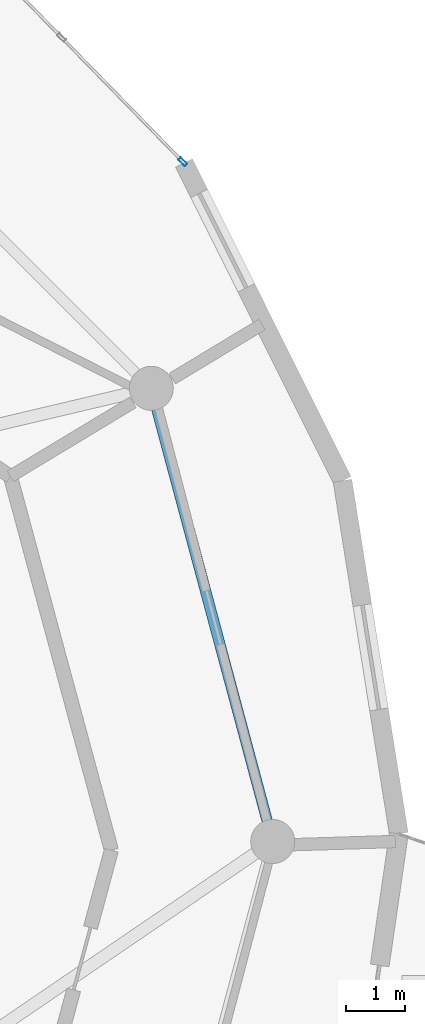
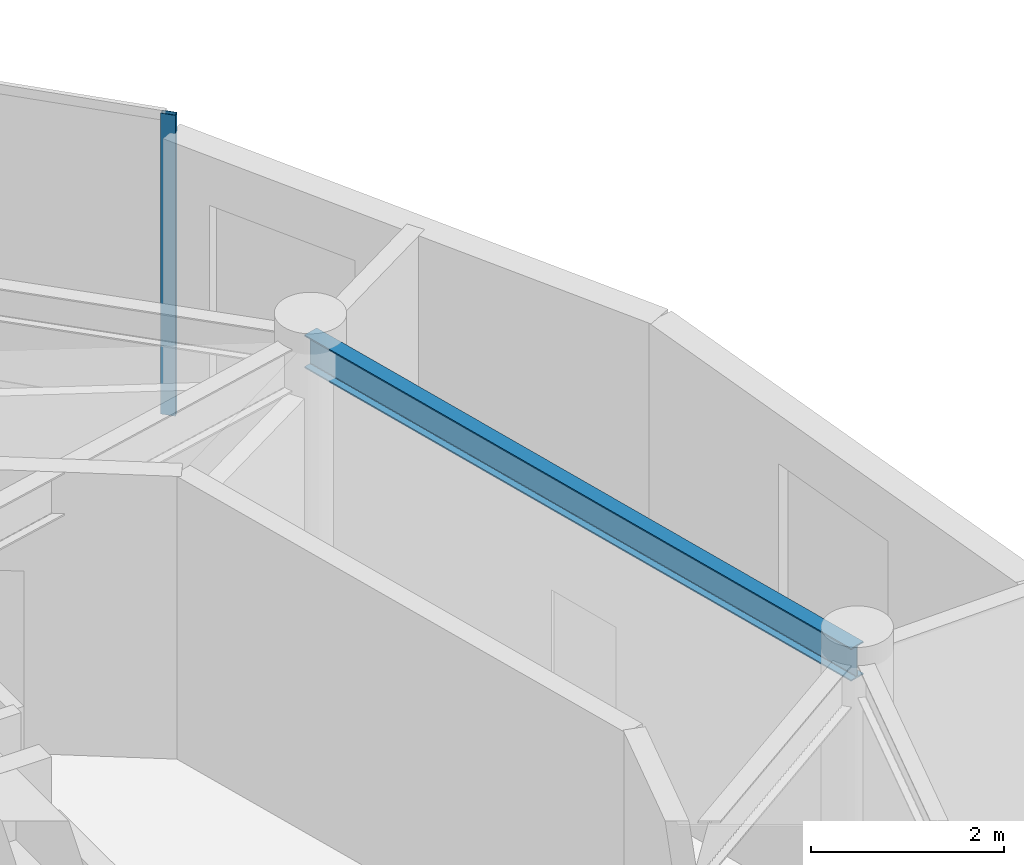
# One storey, part 12 of 22: 1 beam, 1 member, 1 element without a shape of its own.
"""IFC4 building model written with IfcOpenShell, lengths in metres."""

from ifc_helpers import new_model, si_unit, direction, frame, origin, origin_2d, place, context, subcontext, project, spatial, hollow_rectangle, i_section, extrude, source, transform, mapped, material, layer, layer_set, material_profile, profile_set, type_object, element, aggregate, save


model = new_model("IFC4")

# Units and contexts
model_context = context("Model", 3, precision=1e-05, world=origin(), true_north=direction((0.0, 1.0)))
body_context = subcontext(model_context, "Body", "Model", "MODEL_VIEW")
ifc_project = project(units=[si_unit("LENGTHUNIT", "METRE"), si_unit("AREAUNIT", "SQUARE_METRE"), si_unit("VOLUMEUNIT", "CUBIC_METRE"), si_unit("PLANEANGLEUNIT", "RADIAN"), si_unit("MASSUNIT", "GRAM", prefix="KILO")], contexts=[model_context])

# Site, building, storey
site_placement = place(None, origin())
site = spatial("IfcSite", under=ifc_project, at=site_placement, CompositionType="ELEMENT")
building_placement = place(site_placement, origin())
building = spatial("IfcBuilding", under=site, at=building_placement, Name="Solvirekh Grand Hotel", CompositionType="ELEMENT")
storey_placement = place(building_placement, frame((0.0, 0.0, 278.199951171875)))
storey = spatial("IfcBuildingStorey", under=building, at=storey_placement, Name="L72", CompositionType="ELEMENT", Elevation=278.199951171875)

# Beam
ifc_material_1 = material(Name="Steel S355", Category="steel")
ifc_material_profile_1 = material_profile(ifc_material_1, i_section(OverallWidth=0.180908203125, OverallDepth=0.4169921875, WebThickness=0.010009765625, FlangeThickness=0.01611328125, FilletRadius=0.011962890625, at=origin_2d()), Name="W410X85")
ifc_profile_set_1 = profile_set([ifc_material_profile_1], Name="Steel S355")
beam_type = type_object("IfcBeamType", Name="Spandrel_Ring_W410", PredefinedType="SPANDREL", material=ifc_profile_set_1)
beam_placement = place(storey_placement, frame((15.449951171875, 0.0, 3.361083984375), z_axis=(-0.258834757072, 0.965921616143, 0.0), x_axis=(-0.965921616143, -0.258834757072, 0.0)))
element("IfcBeam", 1, at=beam_placement, inside=storey, type_object=beam_type, Name="L72 perimeter spandrel beam 1", PredefinedType="SPANDREL", context=body_context, shape_type="SweptSolid", body=[
    extrude(i_section(OverallWidth=0.180908203125, OverallDepth=0.4169921875, WebThickness=0.010009765625, FlangeThickness=0.01611328125, FilletRadius=0.011962890625, at=origin_2d()), origin(), (0.0, 0.0, 1.0), 7.99755859375),
])

# Curtain wall, member
ifc_material_2 = material(Name="Anodized Bronze Aluminium 6063-T6", Category="aluminium")
ifc_layer = layer(ifc_material_2, 0.159912109375)
ifc_layer_set = layer_set([ifc_layer], Name="Anodized Bronze Aluminium 6063-T6")
curtain_wall_type = type_object("IfcCurtainWallType", Name="CW_Sys4_HighZoneFlushBronzeCW", PredefinedType="NOTDEFINED", material=ifc_layer_set)
curtain_wall_placement = place(storey_placement, origin())
curtain_wall = element("IfcCurtainWall", 2, at=curtain_wall_placement, inside=storey, type_object=curtain_wall_type, Name="L72 unitised bronze-glass curtain wall CW-L72-C08", PredefinedType="NOTDEFINED")
ifc_material_profile_2 = material_profile(ifc_material_2, hollow_rectangle(XDim=0.06005859375, YDim=0.159912109375, WallThickness=0.0048828125, at=origin_2d()), Name="ALU RHS 160X60X5")
ifc_profile_set_2 = profile_set([ifc_material_profile_2], Name="Anodized Bronze Aluminium 6063-T6")
member_type = type_object("IfcMemberType", Name="CWMullion_Sys4", PredefinedType="MULLION", material=ifc_profile_set_2)
shared_shape = source(origin(), body_context, "Body", "SweptSolid", [
    extrude(hollow_rectangle(XDim=0.06005859375, YDim=0.159912109375, WallThickness=0.0048828125, at=origin_2d()), origin(), (0.0, 0.0, 1.0), 3.800048828125),
])
member_placement = place(storey_placement, frame((13.91796875, 11.58837890625, 0.0), z_axis=(0.0, 0.0, 1.0), x_axis=(-0.715989699627, -0.698110843655, 0.0)))
member = element("IfcMember", 3, at=member_placement, type_object=member_type, Name="U04 mullion 1", PredefinedType="MULLION", context=body_context, shape_type="MappedRepresentation", body=[
    mapped(shared_shape, transform((0.0, 0.0, 0.0), x_axis=(1.0, 0.0, 0.0), y_axis=(0.0, 1.0, 0.0), z_axis=(0.0, 0.0, 1.0), scale=1.0)),
])
aggregate(curtain_wall, [member])

save(model, "model.ifc")
